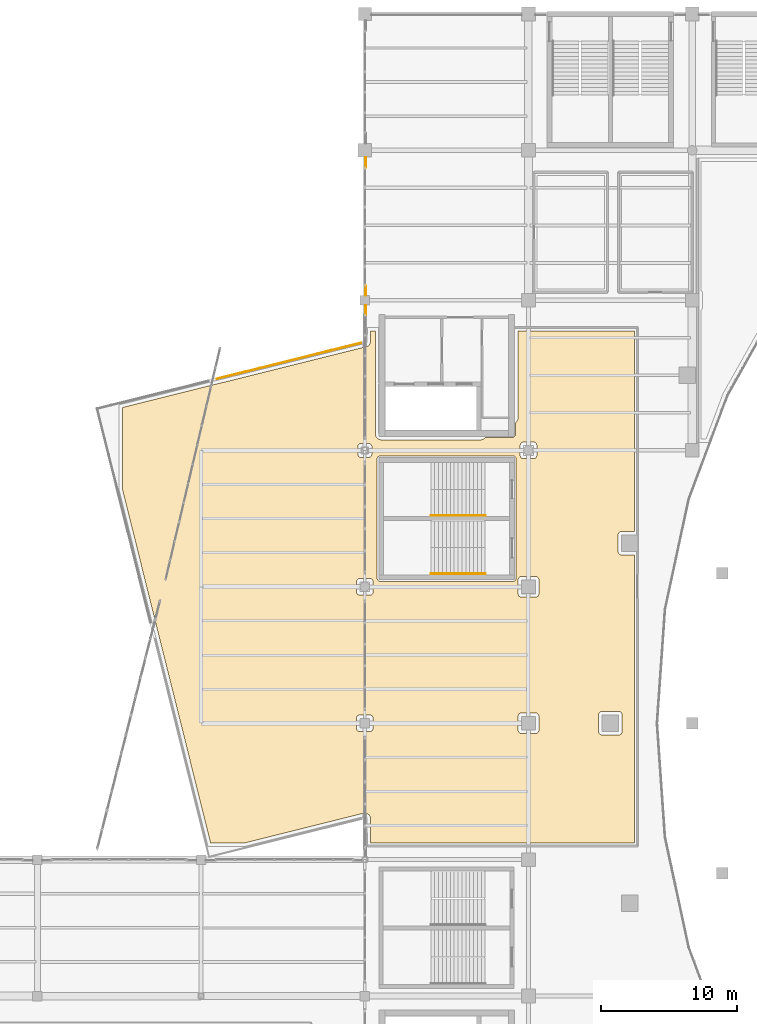
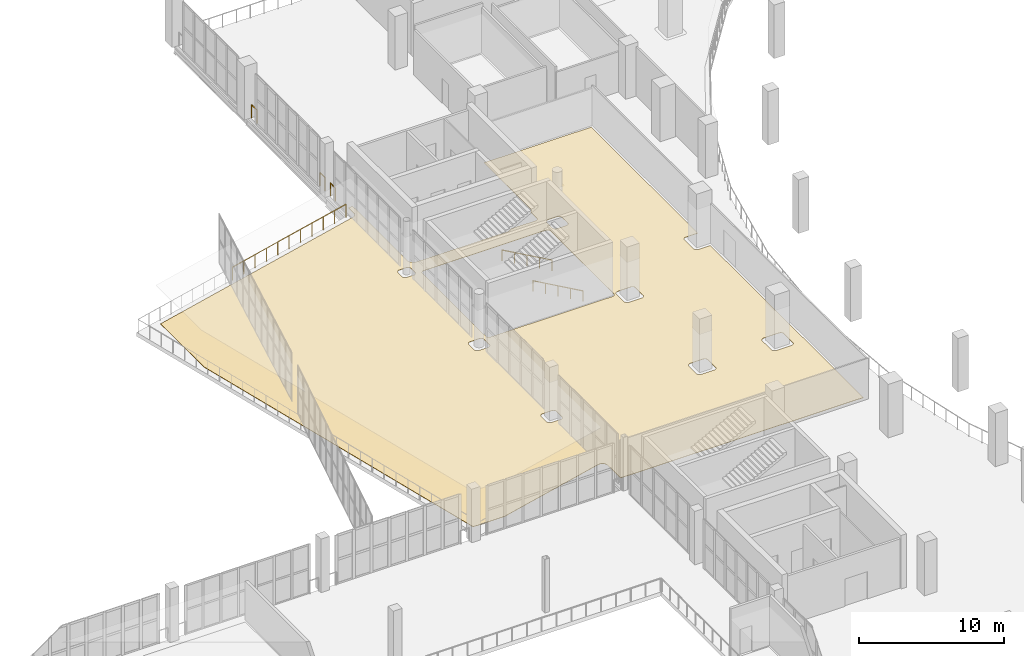
# One storey, part 101 of 108: 6 railings, 1 covering.
"""IFC4 building model written with IfcOpenShell, lengths in metres."""

from ifc_helpers import new_model, si_unit, direction, frame, origin, origin_2d, place, context, subcontext, project, spatial, polyline, circle, outline, extrude, material, layer, layer_set, type_object, element, save


model = new_model("IFC4")

# Units and contexts
model_context = context("Model", 3, precision=1e-05, world=origin(), true_north=direction((0.0, 1.0)))
body_context = subcontext(model_context, "Body", "Model", "MODEL_VIEW")
ifc_project = project(units=[si_unit("LENGTHUNIT", "METRE"), si_unit("AREAUNIT", "SQUARE_METRE"), si_unit("VOLUMEUNIT", "CUBIC_METRE"), si_unit("PLANEANGLEUNIT", "RADIAN"), si_unit("MASSUNIT", "GRAM", prefix="KILO")], contexts=[model_context])

# Site, building, storey
site_placement = place(None, origin())
site = spatial("IfcSite", under=ifc_project, at=site_placement, CompositionType="ELEMENT")
building_placement = place(site_placement, origin())
building = spatial("IfcBuilding", under=site, at=building_placement, Name="Brinegate Civic Arena", CompositionType="ELEMENT")
storey_placement = place(building_placement, frame((0.0, 0.0, 10.199951171875)))
storey = spatial("IfcBuildingStorey", under=building, at=storey_placement, Name="L02", CompositionType="ELEMENT", Elevation=10.199951171875)

# Covering
ifc_material_1 = material(Name="Polished coral terrazzo flooring")
ifc_layer = layer(ifc_material_1, 0.028076171875, Name="Polished coral terrazzo flooring")
ifc_layer_set = layer_set([ifc_layer], Name="Polished coral terrazzo flooring")
covering_type = type_object("IfcCoveringType", Name="FLOORING-TERRAZZO-28", PredefinedType="FLOORING", material=ifc_layer_set)
covering_placement = place(storey_placement, origin())
element("IfcCovering", 1, at=covering_placement, inside=storey, type_object=covering_type, Name="Flooring L02-001", PredefinedType="FLOORING", context=body_context, shape_type="SweptSolid", body=[
    extrude(outline(polyline([(30.22998046875, 85.14501953125), (48.10205078125, 89.60205078125), (48.134033203125, 89.612060546875), (48.18310546875, 89.631103515625), (48.2060546875, 89.64208984375), (48.22802734375, 89.655029296875), (48.2490234375, 89.669921875), (48.2890625, 89.701904296875), (48.304931640625, 89.717041015625), (48.320068359375, 89.73291015625), (48.3330078125, 89.75), (48.363037109375, 89.7919921875), (48.3798828125, 89.818115234375), (48.39208984375, 89.844970703125), (48.405029296875, 89.8759765625), (48.4130859375, 89.89892578125), (48.41796875, 89.922119140625), (48.425048828125, 89.955078125), (48.427978515625, 89.97802734375), (48.428955078125, 90.001953125), (48.429931640625, 90.77001953125), (48.77001953125, 90.77001953125), (48.77001953125, 86.950927734375), (48.77099609375, 86.926025390625), (48.77392578125, 86.89990234375), (48.77099609375, 86.8740234375), (48.77001953125, 86.84912109375), (48.77001953125, 83.2509765625), (48.77099609375, 83.22607421875), (48.77587890625, 83.179931640625), (48.779052734375, 83.156005859375), (48.784912109375, 83.134033203125), (48.798095703125, 83.090087890625), (48.805908203125, 83.06689453125), (48.81689453125, 83.0439453125), (48.837890625, 83.00390625), (48.85107421875, 82.98388671875), (48.864990234375, 82.964111328125), (48.89306640625, 82.928955078125), (48.909912109375, 82.909912109375), (48.928955078125, 82.89306640625), (48.964111328125, 82.864990234375), (48.98388671875, 82.85107421875), (49.00390625, 82.837890625), (49.0439453125, 82.81689453125), (49.06689453125, 82.805908203125), (49.090087890625, 82.798095703125), (49.134033203125, 82.784912109375), (49.156005859375, 82.779052734375), (49.179931640625, 82.77587890625), (49.22607421875, 82.77099609375), (49.2509765625, 82.77001953125), (56.448974609375, 82.77001953125), (56.47412109375, 82.77099609375), (56.52001953125, 82.77587890625), (56.5439453125, 82.779052734375), (56.56591796875, 82.784912109375), (56.610107421875, 82.798095703125), (56.631103515625, 82.804931640625), (56.64990234375, 82.81396484375), (56.669921875, 82.823974609375), (56.695068359375, 82.839111328125), (56.73388671875, 82.864013671875), (56.762939453125, 82.885986328125), (56.779052734375, 82.89990234375), (56.800048828125, 82.9208984375), (56.81396484375, 82.93701171875), (56.823974609375, 82.949951171875), (58.800048828125, 82.949951171875), (58.824951171875, 82.950927734375), (58.84912109375, 82.955078125), (58.873046875, 82.9609375), (58.89599609375, 82.968994140625), (58.91796875, 82.97998046875), (58.93896484375, 82.991943359375), (58.958984375, 83.007080078125), (58.97705078125, 83.02294921875), (58.992919921875, 83.041015625), (59.008056640625, 83.06103515625), (59.02001953125, 83.08203125), (59.031005859375, 83.10400390625), (59.0390625, 83.126953125), (59.044921875, 83.15087890625), (59.049072265625, 83.175048828125), (59.050048828125, 83.199951171875), (59.050048828125, 84.02490234375), (59.06201171875, 84.035888671875), (59.0791015625, 84.050048828125), (59.093017578125, 84.06396484375), (59.10595703125, 84.0791015625), (59.135009765625, 84.114013671875), (59.14794921875, 84.131103515625), (59.158935546875, 84.14794921875), (59.1689453125, 84.1669921875), (59.181884765625, 84.194091796875), (59.199951171875, 84.236083984375), (59.20703125, 84.25390625), (59.212890625, 84.27294921875), (59.218017578125, 84.2939453125), (59.22412109375, 84.3291015625), (59.22900390625, 84.3759765625), (59.22998046875, 84.40087890625), (59.22998046875, 90.77001953125), (67.77001953125, 90.77001953125), (67.77001953125, 76.06005859375), (66.821044921875, 76.06005859375), (66.7958984375, 76.05908203125), (66.77197265625, 76.054931640625), (66.748046875, 76.049072265625), (66.72509765625, 76.041015625), (66.702880859375, 76.030029296875), (66.681884765625, 76.01806640625), (66.662109375, 76.0029296875), (66.64404296875, 75.987060546875), (66.6279296875, 75.968994140625), (66.613037109375, 75.948974609375), (66.60107421875, 75.927978515625), (66.590087890625, 75.906005859375), (66.58203125, 75.883056640625), (66.575927734375, 75.85888671875), (66.572021484375, 75.8349609375), (66.571044921875, 75.81005859375), (66.571044921875, 74.590087890625), (66.572021484375, 74.56494140625), (66.575927734375, 74.541015625), (66.58203125, 74.51708984375), (66.590087890625, 74.493896484375), (66.60107421875, 74.471923828125), (66.613037109375, 74.450927734375), (66.6279296875, 74.430908203125), (66.64404296875, 74.4130859375), (66.662109375, 74.39697265625), (66.681884765625, 74.382080078125), (66.702880859375, 74.3701171875), (66.72509765625, 74.35888671875), (66.748046875, 74.35107421875), (66.77197265625, 74.344970703125), (66.7958984375, 74.341064453125), (66.821044921875, 74.340087890625), (67.77001953125, 74.340087890625), (67.77001953125, 53.22998046875), (48.429931640625, 53.22998046875), (48.428955078125, 54.99609375), (48.427978515625, 55.02099609375), (48.424072265625, 55.044921875), (48.4169921875, 55.0810546875), (48.409912109375, 55.10693359375), (48.40087890625, 55.131103515625), (48.386962890625, 55.1640625), (48.3759765625, 55.18701171875), (48.363037109375, 55.2080078125), (48.342041015625, 55.238037109375), (48.326904296875, 55.257080078125), (48.31005859375, 55.27490234375), (48.283935546875, 55.300048828125), (48.26806640625, 55.31396484375), (48.251953125, 55.325927734375), (48.238037109375, 55.3359375), (48.208984375, 55.35302734375), (48.176025390625, 55.3701171875), (48.154052734375, 55.37890625), (48.132080078125, 55.386962890625), (48.096923828125, 55.39697265625), (48.069091796875, 55.403076171875), (48.041015625, 55.406005859375), (48.00390625, 55.407958984375), (47.97900390625, 55.407958984375), (47.9541015625, 55.405029296875), (47.91796875, 55.39892578125), (47.89501953125, 55.39501953125), (39.2119140625, 53.22998046875), (36.695068359375, 53.22998046875), (30.22998046875, 79.156982421875), (30.22998046875, 85.14501953125)]), holes=[polyline([(66.610107421875, 61.139892578125), (66.635009765625, 61.14111328125), (66.658935546875, 61.14501953125), (66.68310546875, 61.15087890625), (66.7060546875, 61.158935546875), (66.72802734375, 61.169921875), (66.7490234375, 61.181884765625), (66.76904296875, 61.197021484375), (66.787109375, 61.212890625), (66.802978515625, 61.23095703125), (66.818115234375, 61.2509765625), (66.830078125, 61.27197265625), (66.841064453125, 61.2939453125), (66.84912109375, 61.31689453125), (66.85498046875, 61.341064453125), (66.85888671875, 61.364990234375), (66.860107421875, 61.389892578125), (66.860107421875, 62.610107421875), (66.85888671875, 62.635009765625), (66.85498046875, 62.658935546875), (66.84912109375, 62.68310546875), (66.841064453125, 62.7060546875), (66.830078125, 62.72802734375), (66.818115234375, 62.7490234375), (66.802978515625, 62.76904296875), (66.787109375, 62.787109375), (66.76904296875, 62.802978515625), (66.7490234375, 62.818115234375), (66.72802734375, 62.830078125), (66.7060546875, 62.841064453125), (66.68310546875, 62.84912109375), (66.658935546875, 62.85498046875), (66.635009765625, 62.85888671875), (66.610107421875, 62.860107421875), (65.389892578125, 62.860107421875), (65.364990234375, 62.85888671875), (65.341064453125, 62.85498046875), (65.31689453125, 62.84912109375), (65.2939453125, 62.841064453125), (65.27197265625, 62.830078125), (65.2509765625, 62.818115234375), (65.23095703125, 62.802978515625), (65.212890625, 62.787109375), (65.197021484375, 62.76904296875), (65.181884765625, 62.7490234375), (65.169921875, 62.72802734375), (65.158935546875, 62.7060546875), (65.15087890625, 62.68310546875), (65.14501953125, 62.658935546875), (65.14111328125, 62.635009765625), (65.139892578125, 62.610107421875), (65.139892578125, 61.389892578125), (65.14111328125, 61.364990234375), (65.14501953125, 61.341064453125), (65.15087890625, 61.31689453125), (65.158935546875, 61.2939453125), (65.169921875, 61.27197265625), (65.181884765625, 61.2509765625), (65.197021484375, 61.23095703125), (65.212890625, 61.212890625), (65.23095703125, 61.197021484375), (65.2509765625, 61.181884765625), (65.27197265625, 61.169921875), (65.2939453125, 61.158935546875), (65.31689453125, 61.15087890625), (65.341064453125, 61.14501953125), (65.364990234375, 61.14111328125), (65.389892578125, 61.139892578125), (66.610107421875, 61.139892578125)]), polyline([(60.510009765625, 71.239990234375), (60.534912109375, 71.240966796875), (60.55908203125, 71.2451171875), (60.5830078125, 71.2509765625), (60.60595703125, 71.259033203125), (60.6279296875, 71.27001953125), (60.64892578125, 71.281982421875), (60.6689453125, 71.297119140625), (60.68701171875, 71.31298828125), (60.702880859375, 71.3310546875), (60.718017578125, 71.35107421875), (60.72998046875, 71.3720703125), (60.740966796875, 71.39404296875), (60.7490234375, 71.4169921875), (60.7548828125, 71.44091796875), (60.759033203125, 71.465087890625), (60.760009765625, 71.489990234375), (60.760009765625, 72.510009765625), (60.759033203125, 72.534912109375), (60.7548828125, 72.55908203125), (60.7490234375, 72.5830078125), (60.740966796875, 72.60595703125), (60.72998046875, 72.6279296875), (60.718017578125, 72.64892578125), (60.702880859375, 72.6689453125), (60.68701171875, 72.68701171875), (60.6689453125, 72.702880859375), (60.64892578125, 72.718017578125), (60.6279296875, 72.72998046875), (60.60595703125, 72.740966796875), (60.5830078125, 72.7490234375), (60.55908203125, 72.7548828125), (60.534912109375, 72.759033203125), (60.510009765625, 72.760009765625), (59.489990234375, 72.760009765625), (59.465087890625, 72.759033203125), (59.44091796875, 72.7548828125), (59.4169921875, 72.7490234375), (59.39404296875, 72.740966796875), (59.3720703125, 72.72998046875), (59.35107421875, 72.718017578125), (59.3310546875, 72.702880859375), (59.31298828125, 72.68701171875), (59.297119140625, 72.6689453125), (59.281982421875, 72.64892578125), (59.27001953125, 72.6279296875), (59.259033203125, 72.60595703125), (59.2509765625, 72.5830078125), (59.2451171875, 72.55908203125), (59.240966796875, 72.534912109375), (59.239990234375, 72.510009765625), (59.239990234375, 71.489990234375), (59.240966796875, 71.465087890625), (59.2451171875, 71.44091796875), (59.2509765625, 71.4169921875), (59.259033203125, 71.39404296875), (59.27001953125, 71.3720703125), (59.281982421875, 71.35107421875), (59.297119140625, 71.3310546875), (59.31298828125, 71.31298828125), (59.3310546875, 71.297119140625), (59.35107421875, 71.281982421875), (59.3720703125, 71.27001953125), (59.39404296875, 71.259033203125), (59.4169921875, 71.2509765625), (59.44091796875, 71.2451171875), (59.465087890625, 71.240966796875), (59.489990234375, 71.239990234375), (60.510009765625, 71.239990234375)]), polyline([(60.760009765625, 62.510009765625), (60.759033203125, 62.534912109375), (60.7548828125, 62.55908203125), (60.7490234375, 62.5830078125), (60.740966796875, 62.60595703125), (60.72998046875, 62.6279296875), (60.718017578125, 62.64892578125), (60.702880859375, 62.6689453125), (60.68701171875, 62.68701171875), (60.6689453125, 62.702880859375), (60.64892578125, 62.718017578125), (60.6279296875, 62.72998046875), (60.60595703125, 62.740966796875), (60.5830078125, 62.7490234375), (60.55908203125, 62.7548828125), (60.534912109375, 62.759033203125), (60.510009765625, 62.760009765625), (59.489990234375, 62.760009765625), (59.465087890625, 62.759033203125), (59.44091796875, 62.7548828125), (59.4169921875, 62.7490234375), (59.39404296875, 62.740966796875), (59.3720703125, 62.72998046875), (59.35107421875, 62.718017578125), (59.3310546875, 62.702880859375), (59.31298828125, 62.68701171875), (59.297119140625, 62.6689453125), (59.281982421875, 62.64892578125), (59.27001953125, 62.6279296875), (59.259033203125, 62.60595703125), (59.2509765625, 62.5830078125), (59.2451171875, 62.55908203125), (59.240966796875, 62.534912109375), (59.239990234375, 62.510009765625), (59.239990234375, 61.489990234375), (59.240966796875, 61.465087890625), (59.2451171875, 61.44091796875), (59.2509765625, 61.4169921875), (59.259033203125, 61.39404296875), (59.27001953125, 61.3720703125), (59.281982421875, 61.35107421875), (59.297119140625, 61.3310546875), (59.31298828125, 61.31298828125), (59.3310546875, 61.297119140625), (59.35107421875, 61.281982421875), (59.3720703125, 61.27001953125), (59.39404296875, 61.259033203125), (59.4169921875, 61.2509765625), (59.44091796875, 61.2451171875), (59.465087890625, 61.240966796875), (59.489990234375, 61.239990234375), (60.510009765625, 61.239990234375), (60.534912109375, 61.240966796875), (60.55908203125, 61.2451171875), (60.5830078125, 61.2509765625), (60.60595703125, 61.259033203125), (60.6279296875, 61.27001953125), (60.64892578125, 61.281982421875), (60.6689453125, 61.297119140625), (60.68701171875, 61.31298828125), (60.702880859375, 61.3310546875), (60.718017578125, 61.35107421875), (60.72998046875, 61.3720703125), (60.740966796875, 61.39404296875), (60.7490234375, 61.4169921875), (60.7548828125, 61.44091796875), (60.759033203125, 61.465087890625), (60.760009765625, 61.489990234375), (60.760009765625, 62.510009765625)]), polyline([(60.360107421875, 81.389892578125), (60.385009765625, 81.39111328125), (60.408935546875, 81.39501953125), (60.43310546875, 81.40087890625), (60.4560546875, 81.408935546875), (60.47802734375, 81.419921875), (60.4990234375, 81.431884765625), (60.51904296875, 81.447021484375), (60.537109375, 81.462890625), (60.552978515625, 81.48095703125), (60.568115234375, 81.5009765625), (60.580078125, 81.52197265625), (60.591064453125, 81.5439453125), (60.59912109375, 81.56689453125), (60.60498046875, 81.591064453125), (60.60888671875, 81.614990234375), (60.610107421875, 81.639892578125), (60.610107421875, 82.360107421875), (60.60888671875, 82.385009765625), (60.60498046875, 82.408935546875), (60.59912109375, 82.43310546875), (60.591064453125, 82.4560546875), (60.580078125, 82.47802734375), (60.568115234375, 82.4990234375), (60.552978515625, 82.51904296875), (60.537109375, 82.537109375), (60.51904296875, 82.552978515625), (60.4990234375, 82.568115234375), (60.47802734375, 82.580078125), (60.4560546875, 82.591064453125), (60.43310546875, 82.59912109375), (60.408935546875, 82.60498046875), (60.385009765625, 82.60888671875), (60.360107421875, 82.610107421875), (59.639892578125, 82.610107421875), (59.614990234375, 82.60888671875), (59.591064453125, 82.60498046875), (59.56689453125, 82.59912109375), (59.5439453125, 82.591064453125), (59.52197265625, 82.580078125), (59.5009765625, 82.568115234375), (59.48095703125, 82.552978515625), (59.462890625, 82.537109375), (59.447021484375, 82.51904296875), (59.431884765625, 82.4990234375), (59.419921875, 82.47802734375), (59.408935546875, 82.4560546875), (59.40087890625, 82.43310546875), (59.39501953125, 82.408935546875), (59.39111328125, 82.385009765625), (59.389892578125, 82.360107421875), (59.389892578125, 81.639892578125), (59.39111328125, 81.614990234375), (59.39501953125, 81.591064453125), (59.40087890625, 81.56689453125), (59.408935546875, 81.5439453125), (59.419921875, 81.52197265625), (59.431884765625, 81.5009765625), (59.447021484375, 81.48095703125), (59.462890625, 81.462890625), (59.48095703125, 81.447021484375), (59.5009765625, 81.431884765625), (59.52197265625, 81.419921875), (59.5439453125, 81.408935546875), (59.56689453125, 81.40087890625), (59.591064453125, 81.39501953125), (59.614990234375, 81.39111328125), (59.639892578125, 81.389892578125), (60.360107421875, 81.389892578125)]), polyline([(58.85009765625, 72.39990234375), (58.875, 72.40087890625), (58.89892578125, 72.405029296875), (58.923095703125, 72.410888671875), (58.946044921875, 72.4189453125), (58.968017578125, 72.429931640625), (58.989013671875, 72.44189453125), (59.009033203125, 72.45703125), (59.027099609375, 72.472900390625), (59.04296875, 72.490966796875), (59.05810546875, 72.510986328125), (59.070068359375, 72.531982421875), (59.0810546875, 72.553955078125), (59.089111328125, 72.576904296875), (59.094970703125, 72.60107421875), (59.09912109375, 72.625), (59.10009765625, 72.64990234375), (59.10009765625, 81.35009765625), (59.09912109375, 81.375), (59.094970703125, 81.39892578125), (59.089111328125, 81.423095703125), (59.0810546875, 81.446044921875), (59.070068359375, 81.468017578125), (59.05810546875, 81.489013671875), (59.04296875, 81.509033203125), (59.027099609375, 81.527099609375), (59.009033203125, 81.54296875), (58.989013671875, 81.55810546875), (58.968017578125, 81.570068359375), (58.946044921875, 81.5810546875), (58.923095703125, 81.589111328125), (58.89892578125, 81.594970703125), (58.875, 81.59912109375), (58.85009765625, 81.60009765625), (49.14990234375, 81.60009765625), (49.125, 81.59912109375), (49.10107421875, 81.594970703125), (49.076904296875, 81.589111328125), (49.053955078125, 81.5810546875), (49.031982421875, 81.570068359375), (49.010986328125, 81.55810546875), (48.990966796875, 81.54296875), (48.972900390625, 81.527099609375), (48.95703125, 81.509033203125), (48.94189453125, 81.489013671875), (48.929931640625, 81.468017578125), (48.9189453125, 81.446044921875), (48.910888671875, 81.423095703125), (48.905029296875, 81.39892578125), (48.90087890625, 81.375), (48.89990234375, 81.35009765625), (48.89990234375, 72.64990234375), (48.90087890625, 72.625), (48.905029296875, 72.60107421875), (48.910888671875, 72.576904296875), (48.9189453125, 72.553955078125), (48.929931640625, 72.531982421875), (48.94189453125, 72.510986328125), (48.95703125, 72.490966796875), (48.972900390625, 72.472900390625), (48.990966796875, 72.45703125), (49.010986328125, 72.44189453125), (49.031982421875, 72.429931640625), (49.053955078125, 72.4189453125), (49.076904296875, 72.410888671875), (49.10107421875, 72.405029296875), (49.125, 72.40087890625), (49.14990234375, 72.39990234375), (58.85009765625, 72.39990234375)]), polyline([(48.360107421875, 71.389892578125), (48.385009765625, 71.39111328125), (48.408935546875, 71.39501953125), (48.43310546875, 71.40087890625), (48.4560546875, 71.408935546875), (48.47802734375, 71.419921875), (48.4990234375, 71.431884765625), (48.51904296875, 71.447021484375), (48.537109375, 71.462890625), (48.552978515625, 71.48095703125), (48.568115234375, 71.5009765625), (48.580078125, 71.52197265625), (48.591064453125, 71.5439453125), (48.59912109375, 71.56689453125), (48.60498046875, 71.591064453125), (48.60888671875, 71.614990234375), (48.610107421875, 71.639892578125), (48.610107421875, 72.360107421875), (48.60888671875, 72.385009765625), (48.60498046875, 72.408935546875), (48.59912109375, 72.43310546875), (48.591064453125, 72.4560546875), (48.580078125, 72.47802734375), (48.568115234375, 72.4990234375), (48.552978515625, 72.51904296875), (48.537109375, 72.537109375), (48.51904296875, 72.552978515625), (48.4990234375, 72.568115234375), (48.47802734375, 72.580078125), (48.4560546875, 72.591064453125), (48.43310546875, 72.59912109375), (48.408935546875, 72.60498046875), (48.385009765625, 72.60888671875), (48.360107421875, 72.610107421875), (47.639892578125, 72.610107421875), (47.614990234375, 72.60888671875), (47.591064453125, 72.60498046875), (47.56689453125, 72.59912109375), (47.5439453125, 72.591064453125), (47.52197265625, 72.580078125), (47.5009765625, 72.568115234375), (47.48095703125, 72.552978515625), (47.462890625, 72.537109375), (47.447021484375, 72.51904296875), (47.431884765625, 72.4990234375), (47.419921875, 72.47802734375), (47.408935546875, 72.4560546875), (47.40087890625, 72.43310546875), (47.39501953125, 72.408935546875), (47.39111328125, 72.385009765625), (47.389892578125, 72.360107421875), (47.389892578125, 71.639892578125), (47.39111328125, 71.614990234375), (47.39501953125, 71.591064453125), (47.40087890625, 71.56689453125), (47.408935546875, 71.5439453125), (47.419921875, 71.52197265625), (47.431884765625, 71.5009765625), (47.447021484375, 71.48095703125), (47.462890625, 71.462890625), (47.48095703125, 71.447021484375), (47.5009765625, 71.431884765625), (47.52197265625, 71.419921875), (47.5439453125, 71.408935546875), (47.56689453125, 71.40087890625), (47.591064453125, 71.39501953125), (47.614990234375, 71.39111328125), (47.639892578125, 71.389892578125), (48.360107421875, 71.389892578125)]), polyline([(48.610107421875, 62.360107421875), (48.60888671875, 62.385009765625), (48.60498046875, 62.408935546875), (48.59912109375, 62.43310546875), (48.591064453125, 62.4560546875), (48.580078125, 62.47802734375), (48.568115234375, 62.4990234375), (48.552978515625, 62.51904296875), (48.537109375, 62.537109375), (48.51904296875, 62.552978515625), (48.4990234375, 62.568115234375), (48.47802734375, 62.580078125), (48.4560546875, 62.591064453125), (48.43310546875, 62.59912109375), (48.408935546875, 62.60498046875), (48.385009765625, 62.60888671875), (48.360107421875, 62.610107421875), (47.639892578125, 62.610107421875), (47.614990234375, 62.60888671875), (47.591064453125, 62.60498046875), (47.56689453125, 62.59912109375), (47.5439453125, 62.591064453125), (47.52197265625, 62.580078125), (47.5009765625, 62.568115234375), (47.48095703125, 62.552978515625), (47.462890625, 62.537109375), (47.447021484375, 62.51904296875), (47.431884765625, 62.4990234375), (47.419921875, 62.47802734375), (47.408935546875, 62.4560546875), (47.40087890625, 62.43310546875), (47.39501953125, 62.408935546875), (47.39111328125, 62.385009765625), (47.389892578125, 62.360107421875), (47.389892578125, 61.639892578125), (47.39111328125, 61.614990234375), (47.39501953125, 61.591064453125), (47.40087890625, 61.56689453125), (47.408935546875, 61.5439453125), (47.419921875, 61.52197265625), (47.431884765625, 61.5009765625), (47.447021484375, 61.48095703125), (47.462890625, 61.462890625), (47.48095703125, 61.447021484375), (47.5009765625, 61.431884765625), (47.52197265625, 61.419921875), (47.5439453125, 61.408935546875), (47.56689453125, 61.40087890625), (47.591064453125, 61.39501953125), (47.614990234375, 61.39111328125), (47.639892578125, 61.389892578125), (48.360107421875, 61.389892578125), (48.385009765625, 61.39111328125), (48.408935546875, 61.39501953125), (48.43310546875, 61.40087890625), (48.4560546875, 61.408935546875), (48.47802734375, 61.419921875), (48.4990234375, 61.431884765625), (48.51904296875, 61.447021484375), (48.537109375, 61.462890625), (48.552978515625, 61.48095703125), (48.568115234375, 61.5009765625), (48.580078125, 61.52197265625), (48.591064453125, 61.5439453125), (48.59912109375, 61.56689453125), (48.60498046875, 61.591064453125), (48.60888671875, 61.614990234375), (48.610107421875, 61.639892578125), (48.610107421875, 62.360107421875)]), polyline([(48.513916015625, 82.263916015625), (48.512939453125, 82.2890625), (48.509033203125, 82.31298828125), (48.5029296875, 82.3369140625), (48.4951171875, 82.360107421875), (48.48388671875, 82.382080078125), (48.471923828125, 82.403076171875), (48.45703125, 82.423095703125), (48.44091796875, 82.44091796875), (48.423095703125, 82.45703125), (48.403076171875, 82.471923828125), (48.382080078125, 82.48388671875), (48.360107421875, 82.4951171875), (48.3369140625, 82.5029296875), (48.31298828125, 82.509033203125), (48.2890625, 82.512939453125), (48.263916015625, 82.513916015625), (47.736083984375, 82.513916015625), (47.7109375, 82.512939453125), (47.68701171875, 82.509033203125), (47.6630859375, 82.5029296875), (47.639892578125, 82.4951171875), (47.617919921875, 82.48388671875), (47.596923828125, 82.471923828125), (47.576904296875, 82.45703125), (47.55908203125, 82.44091796875), (47.54296875, 82.423095703125), (47.528076171875, 82.403076171875), (47.51611328125, 82.382080078125), (47.5048828125, 82.360107421875), (47.4970703125, 82.3369140625), (47.490966796875, 82.31298828125), (47.487060546875, 82.2890625), (47.486083984375, 82.263916015625), (47.486083984375, 81.736083984375), (47.487060546875, 81.7109375), (47.490966796875, 81.68701171875), (47.4970703125, 81.6630859375), (47.5048828125, 81.639892578125), (47.51611328125, 81.617919921875), (47.528076171875, 81.596923828125), (47.54296875, 81.576904296875), (47.55908203125, 81.55908203125), (47.576904296875, 81.54296875), (47.596923828125, 81.528076171875), (47.617919921875, 81.51611328125), (47.639892578125, 81.5048828125), (47.6630859375, 81.4970703125), (47.68701171875, 81.490966796875), (47.7109375, 81.487060546875), (47.736083984375, 81.486083984375), (48.263916015625, 81.486083984375), (48.2890625, 81.487060546875), (48.31298828125, 81.490966796875), (48.3369140625, 81.4970703125), (48.360107421875, 81.5048828125), (48.382080078125, 81.51611328125), (48.403076171875, 81.528076171875), (48.423095703125, 81.54296875), (48.44091796875, 81.55908203125), (48.45703125, 81.576904296875), (48.471923828125, 81.596923828125), (48.48388671875, 81.617919921875), (48.4951171875, 81.639892578125), (48.5029296875, 81.6630859375), (48.509033203125, 81.68701171875), (48.512939453125, 81.7109375), (48.513916015625, 81.736083984375), (48.513916015625, 82.263916015625)])]), origin(), (0.0, 0.0, 1.0), 0.028076171875),
])

# Railings
ifc_material_2 = material(Name="Architectural stainless steel balustrade", Category="steel")
railing_type_1 = type_object("IfcRailingType", Name="RAIL-STAIR-HANDRAIL-900", PredefinedType="HANDRAIL", material=ifc_material_2)
for number, where, name in (
    (2, (52.840087890625, 72.955078125, 2.25), "Stair Pitch Handrail ST-07A L02"),
    (3, (52.840087890625, 77.22509765625, 2.25), "Stair Pitch Handrail ST-07B L02"),
):
    element("IfcRailing", number, at=place(storey_placement, frame(where)), inside=storey, type_object=railing_type_1, Name=name, PredefinedType="HANDRAIL", context=body_context, shape_type="SweptSolid", body=[
        extrude(circle(Radius=0.02392578125, at=origin_2d()), frame((0.001220703125, 0.0, 0.875), z_axis=(0.871049806155, 0.0, -0.491194701923), x_axis=(0.0, 1.0, 0.0)), (0.0, 0.0, 1.0), 4.57763671875),
        extrude(circle(Radius=0.02099609375, at=origin_2d()), origin(), (0.0, 0.0, 1.0), 0.849853515625),
        extrude(circle(Radius=0.02099609375, at=origin_2d()), frame((0.99755859375, 0.0, -0.5625)), (0.0, 0.0, 1.0), 0.849853515625),
        extrude(circle(Radius=0.02099609375, at=origin_2d()), frame((1.9951171875, 0.0, -1.125)), (0.0, 0.0, 1.0), 0.849853515625),
        extrude(circle(Radius=0.02099609375, at=origin_2d()), frame((2.992431640625, 0.0, -1.6875)), (0.0, 0.0, 1.0), 0.849853515625),
        extrude(circle(Radius=0.02099609375, at=origin_2d()), frame((3.989990234375, 0.0, -2.25)), (0.0, 0.0, 1.0), 0.849853515625),
    ])
railing_type_2 = type_object("IfcRailingType", Name="RAIL-VOID-BALUSTRADE-1120", PredefinedType="BALUSTRADE", material=ifc_material_2)
railing_1_placement = place(storey_placement, frame((37.156982421875, 87.242919921875, 0.0)))
element("IfcRailing", 4, at=railing_1_placement, inside=storey, type_object=railing_type_2, Name="Deck Edge Balustrade L02-130", PredefinedType="BALUSTRADE", context=body_context, shape_type="SweptSolid", body=[
    extrude(circle(Radius=0.02392578125, at=origin_2d()), frame((0.00146484375, 0.000244140625, 1.09619140625), z_axis=(0.970287436534, 0.241955141514, 0.0), x_axis=(-0.241955141514, 0.970287436534, 0.0)), (0.0, 0.0, 1.0), 10.883544921875),
    extrude(circle(Radius=0.02099609375, at=origin_2d()), origin(), (0.0, 0.0, 1.0), 1.070068359375),
    extrude(circle(Radius=0.02099609375, at=origin_2d()), frame((1.056396484375, 0.263427734375, 0.0)), (0.0, 0.0, 1.0), 1.070068359375),
    extrude(circle(Radius=0.02099609375, at=origin_2d()), frame((2.112548828125, 0.52685546875, 0.0)), (0.0, 0.0, 1.0), 1.070068359375),
    extrude(circle(Radius=0.02099609375, at=origin_2d()), frame((3.1689453125, 0.790283203125, 0.0)), (0.0, 0.0, 1.0), 1.070068359375),
    extrude(circle(Radius=0.02099609375, at=origin_2d()), frame((4.22509765625, 1.0537109375, 0.0)), (0.0, 0.0, 1.0), 1.070068359375),
    extrude(circle(Radius=0.02099609375, at=origin_2d()), frame((5.281494140625, 1.31689453125, 0.0)), (0.0, 0.0, 1.0), 1.070068359375),
    extrude(circle(Radius=0.02099609375, at=origin_2d()), frame((6.337890625, 1.580322265625, 0.0)), (0.0, 0.0, 1.0), 1.070068359375),
    extrude(circle(Radius=0.02099609375, at=origin_2d()), frame((7.39404296875, 1.84375, 0.0)), (0.0, 0.0, 1.0), 1.070068359375),
    extrude(circle(Radius=0.02099609375, at=origin_2d()), frame((8.450439453125, 2.107177734375, 0.0)), (0.0, 0.0, 1.0), 1.070068359375),
    extrude(circle(Radius=0.02099609375, at=origin_2d()), frame((9.506591796875, 2.37060546875, 0.0)), (0.0, 0.0, 1.0), 1.070068359375),
    extrude(circle(Radius=0.02099609375, at=origin_2d()), frame((10.56298828125, 2.634033203125, 0.0)), (0.0, 0.0, 1.0), 1.070068359375),
])
for number, where, name in (
    (5, (48.070068359375, 91.955078125, 0.0), "Deck Edge Balustrade L02-131"),
    (6, (48.070068359375, 93.3701171875, 0.0), "Deck Edge Balustrade L02-132"),
):
    element("IfcRailing", number, at=place(storey_placement, frame(where)), inside=storey, type_object=railing_type_2, Name=name, PredefinedType="BALUSTRADE", context=body_context, shape_type="SweptSolid", body=[
        extrude(circle(Radius=0.02392578125, at=origin_2d()), frame((0.0, 0.00146484375, 1.09619140625), z_axis=(0.0, 1.0, 0.0), x_axis=(-1.0, 0.0, 0.0)), (0.0, 0.0, 1.0), 0.671875),
        extrude(circle(Radius=0.02099609375, at=origin_2d()), origin(), (0.0, 0.0, 1.0), 1.070068359375),
        extrude(circle(Radius=0.02099609375, at=origin_2d()), frame((0.0, 0.6748046875, 0.0)), (0.0, 0.0, 1.0), 1.070068359375),
    ])
railing_2_placement = place(storey_placement, frame((48.070068359375, 102.742919921875, 0.0)))
element("IfcRailing", 7, at=railing_2_placement, inside=storey, type_object=railing_type_2, Name="Deck Edge Balustrade L02-133", PredefinedType="BALUSTRADE", context=body_context, shape_type="SweptSolid", body=[
    extrude(circle(Radius=0.02392578125, at=origin_2d()), frame((0.0, 0.00146484375, 1.09619140625), z_axis=(0.0, 1.0, 0.0), x_axis=(-1.0, 0.0, 0.0)), (0.0, 0.0, 1.0), 0.734130859375),
    extrude(circle(Radius=0.02099609375, at=origin_2d()), origin(), (0.0, 0.0, 1.0), 1.070068359375),
    extrude(circle(Radius=0.02099609375, at=origin_2d()), frame((0.0, 0.737060546875, 0.0)), (0.0, 0.0, 1.0), 1.070068359375),
])

save(model, "model.ifc")
